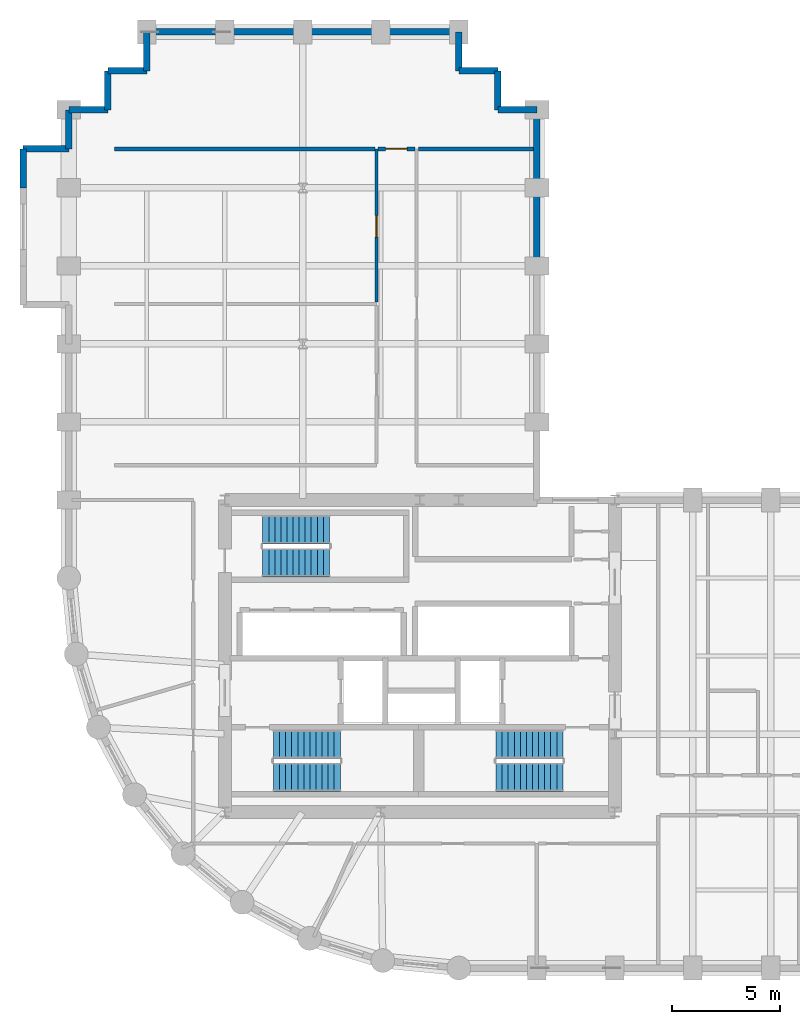
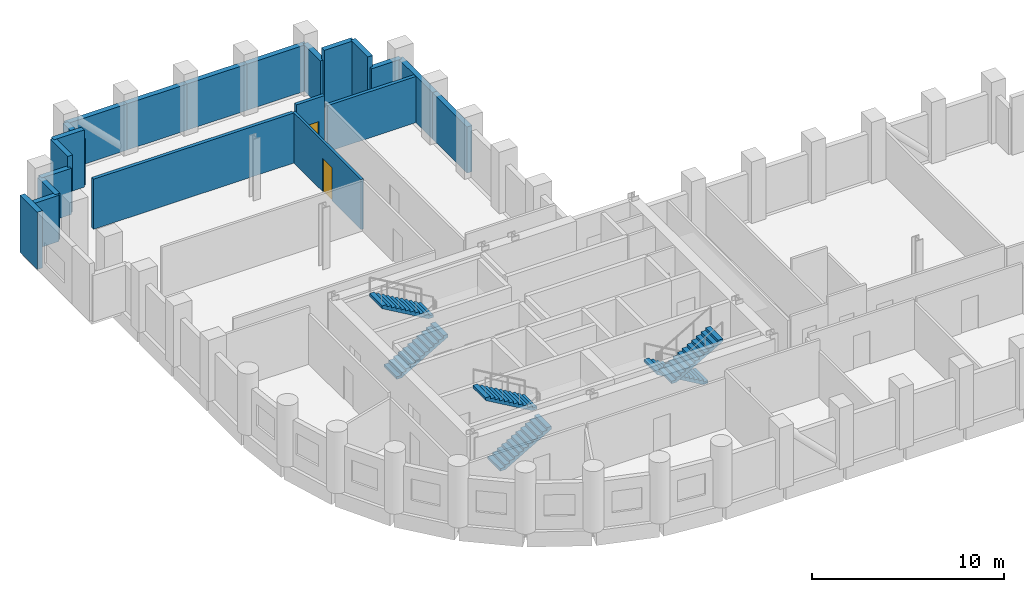
# One storey, part 6 of 7: 21 walls, 6 stair flights, 2 doors, 2 openings, 3 elements without a shape of their own.
"""IFC4 building model written with IfcOpenShell, lengths in metres."""

from ifc_helpers import new_model, si_unit, direction, frame, frame_2d, origin, place, context, subcontext, project, spatial, polyline, rectangle, outline, extrude, material, layer, layer_set, type_object, element, fill, aggregate, save


model = new_model("IFC4")

# Units and contexts
model_context = context("Model", 3, precision=1e-05, world=origin(), true_north=direction((0.0, 1.0)))
body_context = subcontext(model_context, "Body", "Model", "MODEL_VIEW")
ifc_project = project(units=[si_unit("LENGTHUNIT", "METRE"), si_unit("AREAUNIT", "SQUARE_METRE"), si_unit("VOLUMEUNIT", "CUBIC_METRE"), si_unit("PLANEANGLEUNIT", "RADIAN"), si_unit("MASSUNIT", "GRAM", prefix="KILO")], contexts=[model_context])

# Site, building, storey
site_placement = place(None, origin())
site = spatial("IfcSite", under=ifc_project, at=site_placement, CompositionType="ELEMENT")
building_placement = place(site_placement, origin())
building = spatial("IfcBuilding", under=site, at=building_placement, Name="Solnavia Interchange Tower", CompositionType="ELEMENT")
storey_placement = place(building_placement, frame((0.0, 0.0, 91.800048828125)))
storey = spatial("IfcBuildingStorey", under=building, at=storey_placement, Name="L22", CompositionType="ELEMENT", Elevation=91.800048828125)

# Walls
ifc_material_1 = material(Name="Gypsum Acoustic Twin-Stud & Mineral Wool", Category="gypsum")
ifc_layer_1 = layer(ifc_material_1, 0.199951171875)
ifc_layer_set_1 = layer_set([ifc_layer_1], Name="Gypsum Acoustic Twin-Stud & Mineral Wool")
wall_type_1 = type_object("IfcWallType", Name="Wall-ApartmentParty-200", PredefinedType="PARTITIONING", material=ifc_layer_set_1)
wall_1_placement = place(storey_placement, frame((9.300048828125, 41.39990234375, 0.0), z_axis=(0.0, 0.0, 1.0), x_axis=(1.0, 0.0, 0.0)))
element("IfcWall", 1, at=wall_1_placement, inside=storey, type_object=wall_type_1, Name="PTW-L22-34 Interior partition wall", PredefinedType="PARTITIONING", context=body_context, shape_type="SweptSolid", body=[
    extrude(rectangle(XDim=12.02099609375, YDim=0.199951171875, at=frame_2d((6.010498046875, 0.0))), origin(), (0.0, 0.0, 1.0), 3.179931640625),
])
wall_2_placement = place(storey_placement, frame((23.3291015625, 41.39990234375, 0.0), z_axis=(0.0, 0.0, 1.0), x_axis=(1.0, 0.0, 0.0)))
element("IfcWall", 2, at=wall_2_placement, inside=storey, type_object=wall_type_1, Name="PTW-L22-35 Interior partition wall", PredefinedType="PARTITIONING", context=body_context, shape_type="SweptSolid", body=[
    extrude(rectangle(XDim=5.31689453125, YDim=0.199951171875, at=frame_2d((2.658447265625, 0.0))), origin(), (0.0, 0.0, 1.0), 2.929931640625),
])

# Wall, opening, door
wall_3_placement = place(storey_placement, frame((21.47900390625, 41.39990234375, 0.0), z_axis=(0.0, 0.0, 1.0), x_axis=(1.0, 0.0, 0.0)))
wall_3 = element("IfcWall", 3, at=wall_3_placement, inside=storey, type_object=wall_type_1, Name="PTW-L22-36 Interior partition wall", PredefinedType="PARTITIONING", context=body_context, shape_type="SweptSolid", body=[
    extrude(rectangle(XDim=1.69189453125, YDim=0.199951171875, at=frame_2d((0.845947265625, 0.0))), origin(), (0.0, 0.0, 1.0), 3.635009765625),
])
opening_1_placement = place(wall_3_placement, frame((0.339111328125, 0.0, 0.0)))
opening_1 = element("IfcOpeningElement", 4, at=opening_1_placement, cuts=wall_3, Name="Opening DR-06", PredefinedType="OPENING", context=body_context, shape_type="SweptSolid", body=[
    extrude(rectangle(XDim=1.0, YDim=2.10009765625, at=frame_2d((0.5, 1.050048828125))), frame((0.0, 0.10986328125, 0.0), z_axis=(0.0, -1.0, 0.0), x_axis=(1.0, 0.0, 0.0)), (0.0, 0.0, 1.0), 0.219970703125),
])
ifc_material_2 = material(Name="Engineered Timber Acoustic Fire Door", Category="wood")
door_type_1 = type_object("IfcDoorType", Name="Door-FlatEntry-1000x2100", OperationType="SINGLE_SWING_LEFT", PredefinedType="DOOR", material=ifc_material_2)
door_1_placement = place(opening_1_placement, origin())
door_1 = element("IfcDoor", 5, at=door_1_placement, inside=storey, type_object=door_type_1, Name="DR-L22-17 Interior room door", OperationType="SINGLE_SWING_LEFT", OverallHeight=2.10009765625, OverallWidth=1.0, PredefinedType="DOOR", context=body_context, shape_type="SweptSolid", body=[
    extrude(rectangle(XDim=1.0, YDim=2.10009765625, at=frame_2d((0.5, 1.050048828125))), frame((0.0, 0.02490234375, 0.0), z_axis=(0.0, -1.0, 0.0), x_axis=(1.0, 0.0, 0.0)), (0.0, 0.0, 1.0), 0.050048828125),
])
fill(opening_1, door_1)

# Walls
ifc_material_3 = material(Name="Concrete C40/50", Category="concrete")
ifc_layer_2 = layer(ifc_material_3, 0.300048828125)
ifc_layer_set_2 = layer_set([ifc_layer_2], Name="Concrete C40/50")
wall_type_2 = type_object("IfcWallType", Name="Wall-ExtSpandrel-300", PredefinedType="STANDARD", material=ifc_layer_set_2)
wall_4_placement = place(storey_placement, frame((28.800048828125, 39.60009765625, 0.0), z_axis=(0.0, 0.0, 1.0), x_axis=(0.0, -1.0, 0.0)))
element("IfcWall", 6, at=wall_4_placement, inside=storey, type_object=wall_type_2, Name="EXW-L22-31 Exterior precast spandrel wall", PredefinedType="STANDARD", context=body_context, shape_type="SweptSolid", body=[
    extrude(rectangle(XDim=3.60009765625, YDim=0.300048828125, at=frame_2d((1.800048828125, 0.0))), origin(), (0.0, 0.0, 1.0), 2.929931640625),
])
wall_5_placement = place(storey_placement, frame((28.800048828125, 43.199951171875, 0.0), z_axis=(0.0, 0.0, 1.0), x_axis=(0.0, -1.0, 0.0)))
element("IfcWall", 7, at=wall_5_placement, inside=storey, type_object=wall_type_2, Name="EXW-L22-32 Exterior precast spandrel wall", PredefinedType="STANDARD", context=body_context, shape_type="SweptSolid", body=[
    extrude(rectangle(XDim=3.599853515625, YDim=0.300048828125, at=frame_2d((1.7998046875, 0.0))), origin(), (0.0, 0.0, 1.0), 2.929931640625),
])
wall_6_placement = place(storey_placement, frame((27.0, 43.199951171875, 0.0), z_axis=(0.0, 0.0, 1.0), x_axis=(1.0, 0.0, 0.0)))
element("IfcWall", 8, at=wall_6_placement, inside=storey, type_object=wall_type_2, Name="EXW-L22-33 Exterior precast spandrel wall", PredefinedType="STANDARD", context=body_context, shape_type="SweptSolid", body=[
    extrude(rectangle(XDim=1.800048828125, YDim=0.300048828125, at=frame_2d((0.89990234375, 0.0))), origin(), (0.0, 0.0, 1.0), 2.929931640625),
])
for number, where, z_axis, x_axis, name in (
    (9, (27.0, 43.199951171875, 0.0), (0.0, 0.0, 1.0), (0.0, 1.0, 0.0), "EXW-L22-34 Exterior precast spandrel wall"),
    (10, (25.199951171875, 45.0, 0.0), (0.0, 0.0, 1.0), (1.0, 0.0, 0.0), "EXW-L22-35 Exterior precast spandrel wall"),
):
    element("IfcWall", number, at=place(storey_placement, frame(where, z_axis=z_axis, x_axis=x_axis)), inside=storey, type_object=wall_type_2, Name=name, PredefinedType="STANDARD", context=body_context, shape_type="SweptSolid", body=[
        extrude(rectangle(XDim=1.800048828125, YDim=0.300048828125, at=frame_2d((0.89990234375, 0.0))), origin(), (0.0, 0.0, 1.0), 3.635009765625),
    ])
wall_7_placement = place(storey_placement, frame((25.199951171875, 45.0, 0.0), z_axis=(0.0, 0.0, 1.0), x_axis=(0.0, 1.0, 0.0)))
element("IfcWall", 11, at=wall_7_placement, inside=storey, type_object=wall_type_2, Name="EXW-L22-36 Exterior precast spandrel wall", PredefinedType="STANDARD", context=body_context, shape_type="SweptSolid", body=[
    extrude(rectangle(XDim=1.800048828125, YDim=0.300048828125, at=frame_2d((0.89990234375, 0.0))), origin(), (0.0, 0.0, 1.0), 2.929931640625),
])
wall_8_placement = place(storey_placement, frame((21.60009765625, 46.800048828125, 0.0), z_axis=(0.0, 0.0, 1.0), x_axis=(1.0, 0.0, 0.0)))
element("IfcWall", 12, at=wall_8_placement, inside=storey, type_object=wall_type_2, Name="EXW-L22-37 Exterior precast spandrel wall", PredefinedType="STANDARD", context=body_context, shape_type="SweptSolid", body=[
    extrude(rectangle(XDim=3.599853515625, YDim=0.300048828125, at=frame_2d((1.7998046875, 0.0))), origin(), (0.0, 0.0, 1.0), 2.929931640625),
])
for number, where, z_axis, x_axis, name in (
    (13, (18.0, 46.800048828125, 0.0), (0.0, 0.0, 1.0), (1.0, 0.0, 0.0), "EXW-L22-38 Exterior precast spandrel wall"),
    (14, (14.39990234375, 46.800048828125, 0.0), (0.0, 0.0, 1.0), (1.0, 0.0, 0.0), "EXW-L22-39 Exterior precast spandrel wall"),
):
    element("IfcWall", number, at=place(storey_placement, frame(where, z_axis=z_axis, x_axis=x_axis)), inside=storey, type_object=wall_type_2, Name=name, PredefinedType="STANDARD", context=body_context, shape_type="SweptSolid", body=[
        extrude(rectangle(XDim=3.60009765625, YDim=0.300048828125, at=frame_2d((1.800048828125, 0.0))), origin(), (0.0, 0.0, 1.0), 2.929931640625),
    ])
wall_9_placement = place(storey_placement, frame((10.800048828125, 46.800048828125, 0.0), z_axis=(0.0, 0.0, 1.0), x_axis=(1.0, 0.0, 0.0)))
element("IfcWall", 15, at=wall_9_placement, inside=storey, type_object=wall_type_2, Name="EXW-L22-40 Exterior precast spandrel wall", PredefinedType="STANDARD", context=body_context, shape_type="SweptSolid", body=[
    extrude(rectangle(XDim=3.599853515625, YDim=0.300048828125, at=frame_2d((1.7998046875, 0.0))), origin(), (0.0, 0.0, 1.0), 2.929931640625),
])
wall_10_placement = place(storey_placement, frame((10.800048828125, 45.0, 0.0), z_axis=(0.0, 0.0, 1.0), x_axis=(0.0, 1.0, 0.0)))
element("IfcWall", 16, at=wall_10_placement, inside=storey, type_object=wall_type_2, Name="EXW-L22-41 Exterior precast spandrel wall", PredefinedType="STANDARD", context=body_context, shape_type="SweptSolid", body=[
    extrude(rectangle(XDim=1.800048828125, YDim=0.300048828125, at=frame_2d((0.89990234375, 0.0))), origin(), (0.0, 0.0, 1.0), 2.929931640625),
])
for number, where, z_axis, x_axis, name in (
    (17, (9.0, 45.0, 0.0), (0.0, 0.0, 1.0), (1.0, 0.0, 0.0), "EXW-L22-42 Exterior precast spandrel wall"),
    (18, (9.0, 43.199951171875, 0.0), (0.0, 0.0, 1.0), (0.0, 1.0, 0.0), "EXW-L22-43 Exterior precast spandrel wall"),
):
    element("IfcWall", number, at=place(storey_placement, frame(where, z_axis=z_axis, x_axis=x_axis)), inside=storey, type_object=wall_type_2, Name=name, PredefinedType="STANDARD", context=body_context, shape_type="SweptSolid", body=[
        extrude(rectangle(XDim=1.800048828125, YDim=0.300048828125, at=frame_2d((0.89990234375, 0.0))), origin(), (0.0, 0.0, 1.0), 3.635009765625),
    ])
for number, where, z_axis, x_axis, name in (
    (19, (7.199951171875, 43.199951171875, 0.0), (0.0, 0.0, 1.0), (1.0, 0.0, 0.0), "EXW-L22-44 Exterior precast spandrel wall"),
    (20, (7.199951171875, 41.39990234375, 0.0), (0.0, 0.0, 1.0), (0.0, 1.0, 0.0), "EXW-L22-45 Exterior precast spandrel wall"),
):
    element("IfcWall", number, at=place(storey_placement, frame(where, z_axis=z_axis, x_axis=x_axis)), inside=storey, type_object=wall_type_2, Name=name, PredefinedType="STANDARD", context=body_context, shape_type="SweptSolid", body=[
        extrude(rectangle(XDim=1.800048828125, YDim=0.300048828125, at=frame_2d((0.89990234375, 0.0))), origin(), (0.0, 0.0, 1.0), 2.929931640625),
    ])
wall_11_placement = place(storey_placement, frame((5.10009765625, 41.39990234375, 0.0), z_axis=(0.0, 0.0, 1.0), x_axis=(1.0, 0.0, 0.0)))
element("IfcWall", 21, at=wall_11_placement, inside=storey, type_object=wall_type_2, Name="EXW-L22-46 Exterior precast spandrel wall", PredefinedType="STANDARD", context=body_context, shape_type="SweptSolid", body=[
    extrude(rectangle(XDim=2.099853515625, YDim=0.300048828125, at=frame_2d((1.0498046875, 0.0))), origin(), (0.0, 0.0, 1.0), 2.929931640625),
])
wall_12_placement = place(storey_placement, frame((5.10009765625, 39.60009765625, 0.0), z_axis=(0.0, 0.0, 1.0), x_axis=(0.0, 1.0, 0.0)))
element("IfcWall", 22, at=wall_12_placement, inside=storey, type_object=wall_type_2, Name="EXW-L22-47 Exterior precast spandrel wall", PredefinedType="STANDARD", context=body_context, shape_type="SweptSolid", body=[
    extrude(rectangle(XDim=1.7998046875, YDim=0.300048828125, at=frame_2d((0.89990234375, 0.0))), origin(), (0.0, 0.0, 1.0), 3.635009765625),
])

# Wall, opening, door
ifc_material_4 = material(Name="Gypsum Plasterboard & Steel Stud", Category="steel")
ifc_layer_3 = layer(ifc_material_4, 0.14990234375)
ifc_layer_set_3 = layer_set([ifc_layer_3], Name="Gypsum Plasterboard & Steel Stud")
wall_type_3 = type_object("IfcWallType", Name="Wall-Partition-150", PredefinedType="PARTITIONING", material=ifc_layer_set_3)
wall_13_placement = place(storey_placement, frame((21.39990234375, 34.3291015625, 0.0), z_axis=(0.0, 0.0, 1.0), x_axis=(0.0, 1.0, 0.0)))
wall_13 = element("IfcWall", 23, at=wall_13_placement, inside=storey, type_object=wall_type_3, Name="PTW-L22-31 Interior partition wall", PredefinedType="PARTITIONING", context=body_context, shape_type="SweptSolid", body=[
    extrude(rectangle(XDim=7.07080078125, YDim=0.14990234375, at=frame_2d((3.535400390625, 0.0))), origin(), (0.0, 0.0, 1.0), 3.179931640625),
])
opening_2_placement = place(wall_13_placement, frame((2.99609375, 0.0, 0.0)))
opening_2 = element("IfcOpeningElement", 24, at=opening_2_placement, cuts=wall_13, Name="Opening DR-07", PredefinedType="OPENING", context=body_context, shape_type="SweptSolid", body=[
    extrude(rectangle(XDim=1.0, YDim=2.10009765625, at=frame_2d((0.5, 1.050048828125))), frame((0.0, 0.0849609375, 0.0), z_axis=(0.0, -1.0, 0.0), x_axis=(1.0, 0.0, 0.0)), (0.0, 0.0, 1.0), 0.169921875),
])
ifc_material_5 = material(Name="Timber & Acoustic Glazed Office Door", Category="wood")
door_type_2 = type_object("IfcDoorType", Name="Door-Office-1000x2100", OperationType="SINGLE_SWING_RIGHT", PredefinedType="DOOR", material=ifc_material_5)
door_2_placement = place(opening_2_placement, origin())
door_2 = element("IfcDoor", 25, at=door_2_placement, inside=storey, type_object=door_type_2, Name="DR-L22-15 Interior room door", OperationType="SINGLE_SWING_RIGHT", OverallHeight=2.10009765625, OverallWidth=1.0, PredefinedType="DOOR", context=body_context, shape_type="SweptSolid", body=[
    extrude(rectangle(XDim=1.0, YDim=2.10009765625, at=frame_2d((0.5, 1.050048828125))), frame((0.0, 0.02490234375, 0.0), z_axis=(0.0, -1.0, 0.0), x_axis=(1.0, 0.0, 0.0)), (0.0, 0.0, 1.0), 0.050048828125),
])
fill(opening_2, door_2)

# Stair, stair flights
stair_type = type_object("IfcStairType", Name="Stair-Dogleg-RC", PredefinedType="HALF_TURN_STAIR", material=ifc_material_3)
stair_1_placement = place(storey_placement, origin())
stair_1 = element("IfcStair", 26, at=stair_1_placement, inside=storey, type_object=stair_type, Name="L22 Core exit stair 1", PredefinedType="HALF_TURN_STAIR")
stair_flight_type = type_object("IfcStairFlightType", Name="StairFlight-RC-150", PredefinedType="STRAIGHT", material=ifc_material_3)
stair_flight_1_placement = place(storey_placement, frame((16.64990234375, 12.409912109375, 0.0), z_axis=(0.0, 0.0, 1.0), x_axis=(1.0, 0.0, 0.0)))
stair_flight_1 = element("IfcStairFlight", 27, at=stair_flight_1_placement, type_object=stair_flight_type, Name="ST-1 flight 1", NumberOfRisers=12, NumberOfTreads=11, PredefinedType="STRAIGHT", RiserHeight=0.1625, TreadLength=0.28, context=body_context, shape_type="SweptSolid", body=[
    extrude(outline(polyline([(0.0, 0.0), (0.0, 0.16259765625), (0.280029296875, 0.16259765625), (0.280029296875, 0.324951171875), (0.56005859375, 0.324951171875), (0.56005859375, 0.487548828125), (0.840087890625, 0.487548828125), (0.840087890625, 0.64990234375), (1.1201171875, 0.64990234375), (1.1201171875, 0.8125), (1.39990234375, 0.8125), (1.39990234375, 0.97509765625), (1.679931640625, 0.97509765625), (1.679931640625, 1.137451171875), (1.9599609375, 1.137451171875), (1.9599609375, 1.300048828125), (2.239990234375, 1.300048828125), (2.239990234375, 1.46240234375), (2.52001953125, 1.46240234375), (2.52001953125, 1.625), (2.800048828125, 1.625), (2.800048828125, 1.78759765625), (3.080078125, 1.78759765625), (3.080078125, 1.949951171875), (3.080078125, 1.6142578125), (0.298583984375, 0.0), (0.0, 0.0)])), frame((0.0, 0.66015625, 0.0), z_axis=(0.0, -1.0, 0.0), x_axis=(1.0, 0.0, 0.0)), (0.0, 0.0, 1.0), 1.320068359375),
])
stair_flight_2_placement = place(storey_placement, frame((19.72998046875, 13.929931640625, 1.949951171875), z_axis=(0.0, 0.0, 1.0), x_axis=(-1.0, 0.0, 0.0)))
stair_flight_2 = element("IfcStairFlight", 28, at=stair_flight_2_placement, type_object=stair_flight_type, Name="ST-1 flight 2", NumberOfRisers=12, NumberOfTreads=11, PredefinedType="STRAIGHT", RiserHeight=0.1625, TreadLength=0.28, context=body_context, shape_type="SweptSolid", body=[
    extrude(outline(polyline([(0.0, 0.0), (0.0, 0.16259765625), (0.280029296875, 0.16259765625), (0.280029296875, 0.324951171875), (0.56005859375, 0.324951171875), (0.56005859375, 0.487548828125), (0.840087890625, 0.487548828125), (0.840087890625, 0.64990234375), (1.1201171875, 0.64990234375), (1.1201171875, 0.8125), (1.39990234375, 0.8125), (1.39990234375, 0.97509765625), (1.679931640625, 0.97509765625), (1.679931640625, 1.137451171875), (1.9599609375, 1.137451171875), (1.9599609375, 1.300048828125), (2.239990234375, 1.300048828125), (2.239990234375, 1.46240234375), (2.52001953125, 1.46240234375), (2.52001953125, 1.625), (2.800048828125, 1.625), (2.800048828125, 1.78759765625), (3.080078125, 1.78759765625), (3.080078125, 1.949951171875), (3.080078125, 1.6142578125), (0.298583984375, 0.0), (0.0, 0.0)])), frame((0.0, 0.66015625, 0.0), z_axis=(0.0, -1.0, 0.0), x_axis=(1.0, 0.0, 0.0)), (0.0, 0.0, 1.0), 1.320068359375),
])
aggregate(stair_1, [stair_flight_1, stair_flight_2])

stair_2_placement = place(storey_placement, origin())
stair_2 = element("IfcStair", 29, at=stair_2_placement, inside=storey, type_object=stair_type, Name="L22 Core exit stair 2", PredefinedType="HALF_TURN_STAIR")
stair_flight_3_placement = place(storey_placement, frame((30.0, 13.929931640625, 0.0), z_axis=(0.0, 0.0, 1.0), x_axis=(-1.0, 0.0, 0.0)))
stair_flight_3 = element("IfcStairFlight", 30, at=stair_flight_3_placement, type_object=stair_flight_type, Name="ST-2 flight 1", NumberOfRisers=12, NumberOfTreads=11, PredefinedType="STRAIGHT", RiserHeight=0.1625, TreadLength=0.28, context=body_context, shape_type="SweptSolid", body=[
    extrude(outline(polyline([(0.0, 0.0), (0.0, 0.16259765625), (0.280029296875, 0.16259765625), (0.280029296875, 0.324951171875), (0.56005859375, 0.324951171875), (0.56005859375, 0.487548828125), (0.840087890625, 0.487548828125), (0.840087890625, 0.64990234375), (1.1201171875, 0.64990234375), (1.1201171875, 0.8125), (1.39990234375, 0.8125), (1.39990234375, 0.97509765625), (1.679931640625, 0.97509765625), (1.679931640625, 1.137451171875), (1.9599609375, 1.137451171875), (1.9599609375, 1.300048828125), (2.239990234375, 1.300048828125), (2.239990234375, 1.46240234375), (2.52001953125, 1.46240234375), (2.52001953125, 1.625), (2.800048828125, 1.625), (2.800048828125, 1.78759765625), (3.080078125, 1.78759765625), (3.080078125, 1.949951171875), (3.080078125, 1.6142578125), (0.298583984375, 0.0), (0.0, 0.0)])), frame((0.0, 0.66015625, 0.0), z_axis=(0.0, -1.0, 0.0), x_axis=(1.0, 0.0, 0.0)), (0.0, 0.0, 1.0), 1.320068359375),
])
stair_flight_4_placement = place(storey_placement, frame((26.919921875, 12.409912109375, 1.949951171875), z_axis=(0.0, 0.0, 1.0), x_axis=(1.0, 0.0, 0.0)))
stair_flight_4 = element("IfcStairFlight", 31, at=stair_flight_4_placement, type_object=stair_flight_type, Name="ST-2 flight 2", NumberOfRisers=12, NumberOfTreads=11, PredefinedType="STRAIGHT", RiserHeight=0.1625, TreadLength=0.28, context=body_context, shape_type="SweptSolid", body=[
    extrude(outline(polyline([(0.0, 0.0), (0.0, 0.16259765625), (0.280029296875, 0.16259765625), (0.280029296875, 0.324951171875), (0.56005859375, 0.324951171875), (0.56005859375, 0.487548828125), (0.840087890625, 0.487548828125), (0.840087890625, 0.64990234375), (1.1201171875, 0.64990234375), (1.1201171875, 0.8125), (1.39990234375, 0.8125), (1.39990234375, 0.97509765625), (1.679931640625, 0.97509765625), (1.679931640625, 1.137451171875), (1.9599609375, 1.137451171875), (1.9599609375, 1.300048828125), (2.239990234375, 1.300048828125), (2.239990234375, 1.46240234375), (2.52001953125, 1.46240234375), (2.52001953125, 1.625), (2.800048828125, 1.625), (2.800048828125, 1.78759765625), (3.080078125, 1.78759765625), (3.080078125, 1.949951171875), (3.080078125, 1.6142578125), (0.298583984375, 0.0), (0.0, 0.0)])), frame((0.0, 0.66015625, 0.0), z_axis=(0.0, -1.0, 0.0), x_axis=(1.0, 0.0, 0.0)), (0.0, 0.0, 1.0), 1.320068359375),
])
aggregate(stair_2, [stair_flight_3, stair_flight_4])

stair_3_placement = place(storey_placement, origin())
stair_3 = element("IfcStair", 32, at=stair_3_placement, inside=storey, type_object=stair_type, Name="L22 Core exit stair 3", PredefinedType="HALF_TURN_STAIR")
stair_flight_5_placement = place(storey_placement, frame((16.14990234375, 22.31005859375, 0.0), z_axis=(0.0, 0.0, 1.0), x_axis=(1.0, 0.0, 0.0)))
stair_flight_5 = element("IfcStairFlight", 33, at=stair_flight_5_placement, type_object=stair_flight_type, Name="ST-3 flight 1", NumberOfRisers=12, NumberOfTreads=11, PredefinedType="STRAIGHT", RiserHeight=0.1625, TreadLength=0.28, context=body_context, shape_type="SweptSolid", body=[
    extrude(outline(polyline([(0.0, 0.0), (0.0, 0.16259765625), (0.280029296875, 0.16259765625), (0.280029296875, 0.324951171875), (0.56005859375, 0.324951171875), (0.56005859375, 0.487548828125), (0.840087890625, 0.487548828125), (0.840087890625, 0.64990234375), (1.1201171875, 0.64990234375), (1.1201171875, 0.8125), (1.39990234375, 0.8125), (1.39990234375, 0.97509765625), (1.679931640625, 0.97509765625), (1.679931640625, 1.137451171875), (1.9599609375, 1.137451171875), (1.9599609375, 1.300048828125), (2.239990234375, 1.300048828125), (2.239990234375, 1.46240234375), (2.52001953125, 1.46240234375), (2.52001953125, 1.625), (2.800048828125, 1.625), (2.800048828125, 1.78759765625), (3.080078125, 1.78759765625), (3.080078125, 1.949951171875), (3.080078125, 1.6142578125), (0.298583984375, 0.0), (0.0, 0.0)])), frame((0.0, 0.66015625, 0.0), z_axis=(0.0, -1.0, 0.0), x_axis=(1.0, 0.0, 0.0)), (0.0, 0.0, 1.0), 1.320068359375),
])
stair_flight_6_placement = place(storey_placement, frame((19.22998046875, 23.830078125, 1.949951171875), z_axis=(0.0, 0.0, 1.0), x_axis=(-1.0, 0.0, 0.0)))
stair_flight_6 = element("IfcStairFlight", 34, at=stair_flight_6_placement, type_object=stair_flight_type, Name="ST-3 flight 2", NumberOfRisers=12, NumberOfTreads=11, PredefinedType="STRAIGHT", RiserHeight=0.1625, TreadLength=0.28, context=body_context, shape_type="SweptSolid", body=[
    extrude(outline(polyline([(0.0, 0.0), (0.0, 0.16259765625), (0.280029296875, 0.16259765625), (0.280029296875, 0.324951171875), (0.56005859375, 0.324951171875), (0.56005859375, 0.487548828125), (0.840087890625, 0.487548828125), (0.840087890625, 0.64990234375), (1.1201171875, 0.64990234375), (1.1201171875, 0.8125), (1.39990234375, 0.8125), (1.39990234375, 0.97509765625), (1.679931640625, 0.97509765625), (1.679931640625, 1.137451171875), (1.9599609375, 1.137451171875), (1.9599609375, 1.300048828125), (2.239990234375, 1.300048828125), (2.239990234375, 1.46240234375), (2.52001953125, 1.46240234375), (2.52001953125, 1.625), (2.800048828125, 1.625), (2.800048828125, 1.78759765625), (3.080078125, 1.78759765625), (3.080078125, 1.949951171875), (3.080078125, 1.6142578125), (0.298583984375, 0.0), (0.0, 0.0)])), frame((0.0, 0.66015625, 0.0), z_axis=(0.0, -1.0, 0.0), x_axis=(1.0, 0.0, 0.0)), (0.0, 0.0, 1.0), 1.320068359375),
])
aggregate(stair_3, [stair_flight_5, stair_flight_6])

save(model, "model.ifc")
